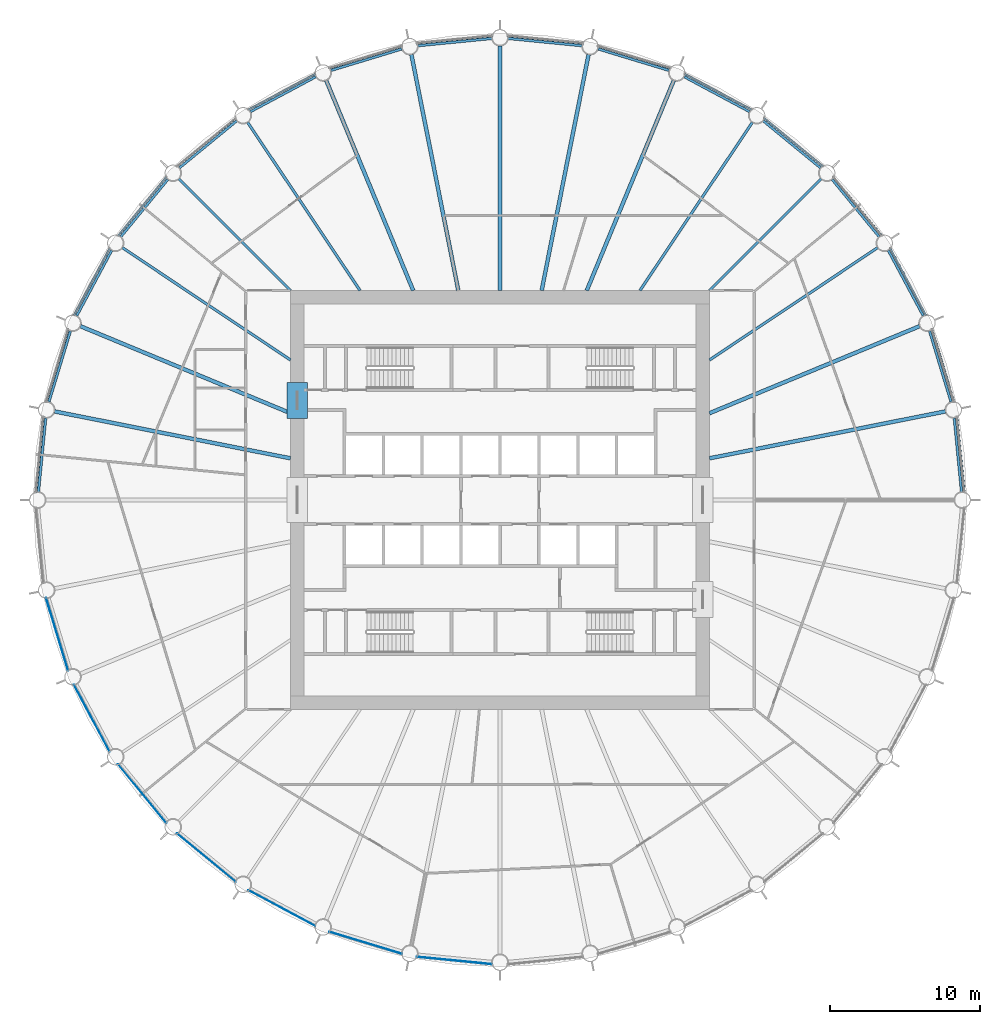
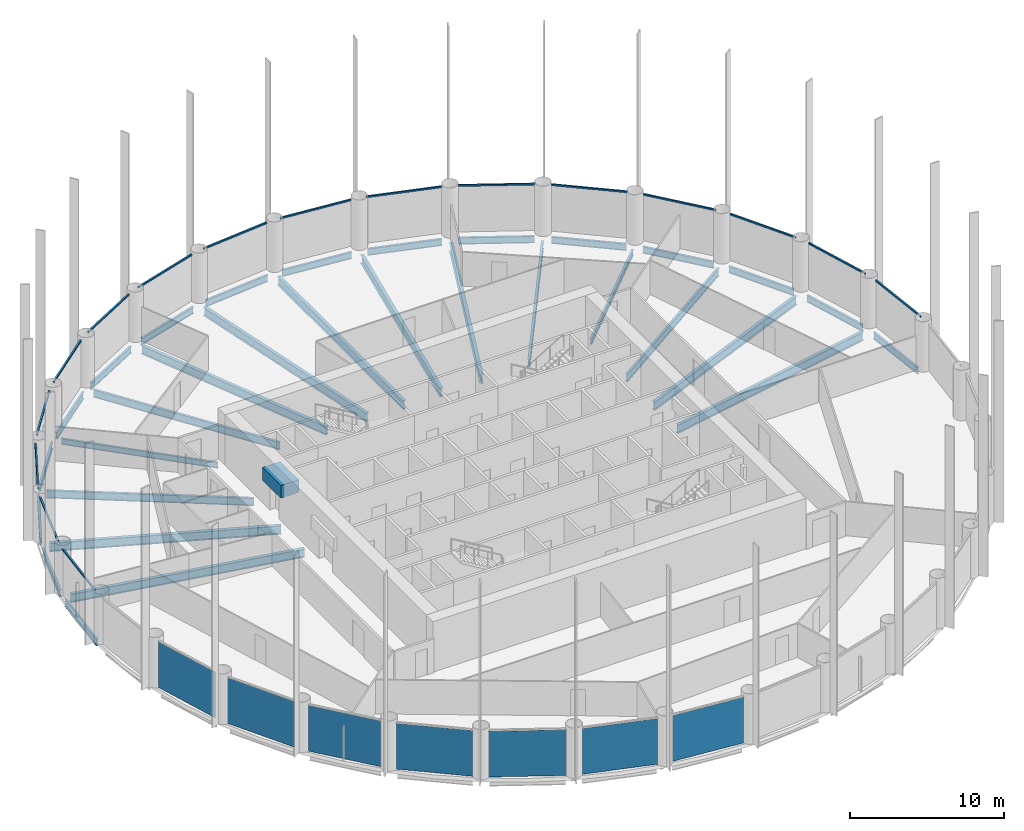
# One storey, part 2 of 9: 32 beams, 16 members, 7 plates, 23 elements without a shape of their own.
"""IFC4 building model written with IfcOpenShell, lengths in metres."""

from ifc_helpers import new_model, si_unit, direction, frame, origin, origin_2d, place, context, subcontext, project, spatial, rectangle, i_section, extrude, material, layer, layer_set, material_profile, profile_set, type_object, element, aggregate, save


model = new_model("IFC4")

# Units and contexts
model_context = context("Model", 3, precision=1e-05, world=origin(), true_north=direction((0.0, 1.0)))
body_context = subcontext(model_context, "Body", "Model", "MODEL_VIEW")
ifc_project = project(units=[si_unit("LENGTHUNIT", "METRE"), si_unit("AREAUNIT", "SQUARE_METRE"), si_unit("VOLUMEUNIT", "CUBIC_METRE"), si_unit("PLANEANGLEUNIT", "RADIAN"), si_unit("MASSUNIT", "GRAM", prefix="KILO")], contexts=[model_context])

# Site, building, storey
site_placement = place(None, origin())
site = spatial("IfcSite", under=ifc_project, at=site_placement, CompositionType="ELEMENT")
building_placement = place(site_placement, origin())
building = spatial("IfcBuilding", under=site, at=building_placement, Name="Corvane Civic Tower", CompositionType="ELEMENT")
storey_placement = place(building_placement, frame((0.0, 0.0, 160.0)))
storey = spatial("IfcBuildingStorey", under=building, at=storey_placement, Name="L37", CompositionType="ELEMENT", Elevation=160.0)

# Beams
ifc_material_1 = material(Name="Concrete C60/75", Category="concrete")
ifc_material_profile_1 = material_profile(ifc_material_1, rectangle(XDim=1.35009765625, YDim=1.0, at=origin_2d()), Name="COUPLING BEAM 1350X1000")
ifc_profile_set_1 = profile_set([ifc_material_profile_1], Name="Concrete C60/75")
beam_type_1 = type_object("IfcBeamType", Name="COUPLING BEAM COUPLING BEAM 1350X1000", PredefinedType="BEAM", material=ifc_profile_set_1)
beam_1_placement = place(storey_placement, frame((-13.550048828125, 5.449951171875, 2.60009765625), z_axis=(0.0, 1.0, 0.0), x_axis=(-1.0, 0.0, 0.0)))
element("IfcBeam", 1, at=beam_1_placement, inside=storey, type_object=beam_type_1, Name="BM-L37-cpl-CW-WN", PredefinedType="BEAM", context=body_context, shape_type="SweptSolid", body=[
    extrude(rectangle(XDim=1.35009765625, YDim=1.0, at=origin_2d()), origin(), (0.0, 0.0, 1.0), 2.400146484375),
])
ifc_material_2 = material(Name="Steel ASTM A992 Gr 50", Category="steel")
ifc_material_profile_2 = material_profile(ifc_material_2, i_section(OverallWidth=0.165771484375, OverallDepth=0.5283203125, WebThickness=0.009765625, FlangeThickness=0.013671875, at=origin_2d()), Name="W21X50")
ifc_profile_set_2 = profile_set([ifc_material_profile_2], Name="Steel ASTM A992 Gr 50")
beam_type_2 = type_object("IfcBeamType", Name="EDGE BEAM W21X50", PredefinedType="BEAM", material=ifc_profile_set_2)
beam_2_placement = place(storey_placement, frame((0.54736328125, 30.845947265625, -0.564208984375), z_axis=(0.995186236294, -0.09800181167, 0.0), x_axis=(0.09800181167, 0.995186236294, 0.0)))
element("IfcBeam", 2, at=beam_2_placement, inside=storey, type_object=beam_type_2, Name="BM-L37-E01", PredefinedType="BEAM", context=body_context, shape_type="SweptSolid", body=[
    extrude(i_section(OverallWidth=0.165771484375, OverallDepth=0.5283203125, WebThickness=0.009765625, FlangeThickness=0.013671875, at=origin_2d()), origin(), (0.0, 0.0, 1.0), 4.95751953125),
])
beam_3_placement = place(storey_placement, frame((6.5546875, 30.146484375, -0.564208984375), z_axis=(0.956944842086, -0.290269821381, 0.0), x_axis=(0.290269821381, 0.956944842086, 0.0)))
element("IfcBeam", 3, at=beam_3_placement, inside=storey, type_object=beam_type_2, Name="BM-L37-E02", PredefinedType="BEAM", context=body_context, shape_type="SweptSolid", body=[
    extrude(i_section(OverallWidth=0.165771484375, OverallDepth=0.5283203125, WebThickness=0.009765625, FlangeThickness=0.013671875, at=origin_2d()), origin(), (0.0, 0.0, 1.0), 4.957275390625),
])
for number, where, z_axis, x_axis, name in (
    (4, (12.31005859375, 28.28857421875, -0.564208984375), (0.881921784846, -0.471395763042, 0.0), (0.471395763042, 0.881921784846, 0.0), "BM-L37-E03"),
    (5, (17.59228515625, 25.343505859375, -0.564208984375), (0.77301516208, -0.634387546532, 0.0), (0.634387546532, 0.77301516208, 0.0), "BM-L37-E04"),
    (6, (22.198486328125, 21.424560546875, -0.564208984375), (0.634387546532, -0.77301516208, 0.0), (0.77301516208, 0.634387546532, 0.0), "BM-L37-E05"),
    (7, (25.95166015625, 16.68212890625, -0.564208984375), (0.471395763042, -0.881921784846, 0.0), (0.881921784846, 0.471395763042, 0.0), "BM-L37-E06"),
):
    element("IfcBeam", number, at=place(storey_placement, frame(where, z_axis=z_axis, x_axis=x_axis)), inside=storey, type_object=beam_type_2, Name=name, PredefinedType="BEAM", context=body_context, shape_type="SweptSolid", body=[
        extrude(i_section(OverallWidth=0.165771484375, OverallDepth=0.5283203125, WebThickness=0.009765625, FlangeThickness=0.013671875, at=origin_2d()), origin(), (0.0, 0.0, 1.0), 4.95751953125),
    ])
beam_4_placement = place(storey_placement, frame((28.70751953125, 11.298583984375, -0.564208984375), z_axis=(0.290269821381, -0.956944842086, 0.0), x_axis=(0.956944842086, 0.290269821381, 0.0)))
element("IfcBeam", 8, at=beam_4_placement, inside=storey, type_object=beam_type_2, Name="BM-L37-E07", PredefinedType="BEAM", context=body_context, shape_type="SweptSolid", body=[
    extrude(i_section(OverallWidth=0.165771484375, OverallDepth=0.5283203125, WebThickness=0.009765625, FlangeThickness=0.013671875, at=origin_2d()), origin(), (0.0, 0.0, 1.0), 4.957275390625),
])
for number, where, z_axis, x_axis, name in (
    (9, (30.360107421875, 5.48095703125, -0.564208984375), (0.09800181167, -0.995186236294, 0.0), (0.995186236294, 0.09800181167, 0.0), "BM-L37-E08"),
    (10, (-30.845947265625, 0.54736328125, -0.564208984375), (0.09800181167, 0.995186236294, 0.0), (-0.995186236294, 0.09800181167, 0.0), "BM-L37-E25"),
):
    element("IfcBeam", number, at=place(storey_placement, frame(where, z_axis=z_axis, x_axis=x_axis)), inside=storey, type_object=beam_type_2, Name=name, PredefinedType="BEAM", context=body_context, shape_type="SweptSolid", body=[
        extrude(i_section(OverallWidth=0.165771484375, OverallDepth=0.5283203125, WebThickness=0.009765625, FlangeThickness=0.013671875, at=origin_2d()), origin(), (0.0, 0.0, 1.0), 4.95751953125),
    ])
beam_5_placement = place(storey_placement, frame((-30.146484375, 6.5546875, -0.564208984375), z_axis=(0.290269821381, 0.956944842086, 0.0), x_axis=(-0.956944842086, 0.290269821381, 0.0)))
element("IfcBeam", 11, at=beam_5_placement, inside=storey, type_object=beam_type_2, Name="BM-L37-E26", PredefinedType="BEAM", context=body_context, shape_type="SweptSolid", body=[
    extrude(i_section(OverallWidth=0.165771484375, OverallDepth=0.5283203125, WebThickness=0.009765625, FlangeThickness=0.013671875, at=origin_2d()), origin(), (0.0, 0.0, 1.0), 4.957275390625),
])
for number, where, z_axis, x_axis, name in (
    (12, (-28.28857421875, 12.31005859375, -0.564208984375), (0.471395763042, 0.881921784846, 0.0), (-0.881921784846, 0.471395763042, 0.0), "BM-L37-E27"),
    (13, (-25.343505859375, 17.59228515625, -0.564208984375), (0.634387546532, 0.77301516208, 0.0), (-0.77301516208, 0.634387546532, 0.0), "BM-L37-E28"),
    (14, (-21.424560546875, 22.198486328125, -0.564208984375), (0.77301516208, 0.634387546532, 0.0), (-0.634387546532, 0.77301516208, 0.0), "BM-L37-E29"),
    (15, (-16.68212890625, 25.95166015625, -0.564208984375), (0.881921784846, 0.471395763042, 0.0), (-0.471395763042, 0.881921784846, 0.0), "BM-L37-E30"),
):
    element("IfcBeam", number, at=place(storey_placement, frame(where, z_axis=z_axis, x_axis=x_axis)), inside=storey, type_object=beam_type_2, Name=name, PredefinedType="BEAM", context=body_context, shape_type="SweptSolid", body=[
        extrude(i_section(OverallWidth=0.165771484375, OverallDepth=0.5283203125, WebThickness=0.009765625, FlangeThickness=0.013671875, at=origin_2d()), origin(), (0.0, 0.0, 1.0), 4.95751953125),
    ])
beam_6_placement = place(storey_placement, frame((-11.298583984375, 28.70751953125, -0.564208984375), z_axis=(0.956944842086, 0.290269821381, 0.0), x_axis=(-0.290269821381, 0.956944842086, 0.0)))
element("IfcBeam", 16, at=beam_6_placement, inside=storey, type_object=beam_type_2, Name="BM-L37-E31", PredefinedType="BEAM", context=body_context, shape_type="SweptSolid", body=[
    extrude(i_section(OverallWidth=0.165771484375, OverallDepth=0.5283203125, WebThickness=0.009765625, FlangeThickness=0.013671875, at=origin_2d()), origin(), (0.0, 0.0, 1.0), 4.957275390625),
])
beam_7_placement = place(storey_placement, frame((-5.48095703125, 30.360107421875, -0.564208984375), z_axis=(0.995186236294, 0.09800181167, 0.0), x_axis=(-0.09800181167, 0.995186236294, 0.0)))
element("IfcBeam", 17, at=beam_7_placement, inside=storey, type_object=beam_type_2, Name="BM-L37-E32", PredefinedType="BEAM", context=body_context, shape_type="SweptSolid", body=[
    extrude(i_section(OverallWidth=0.165771484375, OverallDepth=0.5283203125, WebThickness=0.009765625, FlangeThickness=0.013671875, at=origin_2d()), origin(), (0.0, 0.0, 1.0), 4.95751953125),
])
ifc_material_3 = material(Name="Steel ASTM A992 Gr 50", Category="steel")
ifc_material_profile_3 = material_profile(ifc_material_3, i_section(OverallWidth=0.15283203125, OverallDepth=0.45458984375, WebThickness=0.008056640625, FlangeThickness=0.013427734375, at=origin_2d()), Name="W18X40")
ifc_profile_set_3 = profile_set([ifc_material_profile_3], Name="Steel ASTM A992 Gr 50")
beam_type_3 = type_object("IfcBeamType", Name="FLOOR GIRDER W18X40", PredefinedType="BEAM", material=ifc_profile_set_3)
for number, where, z_axis, x_axis, name in (
    (18, (14.0, 14.0, -0.52734375), (0.707106781187, 0.707106781187, 0.0), (-0.707106781187, 0.707106781187, 0.0), "BM-L37-G05"),
    (19, (-14.0, 14.0, -0.52734375), (-0.707106781187, 0.707106781187, 0.0), (-0.707106781187, -0.707106781187, 0.0), "BM-L37-G29"),
):
    element("IfcBeam", number, at=place(storey_placement, frame(where, z_axis=z_axis, x_axis=x_axis)), inside=storey, type_object=beam_type_3, Name=name, PredefinedType="BEAM", context=body_context, shape_type="SweptSolid", body=[
        extrude(i_section(OverallWidth=0.15283203125, OverallDepth=0.45458984375, WebThickness=0.008056640625, FlangeThickness=0.013427734375, at=origin_2d()), origin(), (0.0, 0.0, 1.0), 10.551025390625),
    ])
ifc_material_4 = material(Name="Steel ASTM A992 Gr 50", Category="steel")
ifc_material_profile_4 = material_profile(ifc_material_4, i_section(OverallWidth=0.177978515625, OverallDepth=0.599365234375, WebThickness=0.010009765625, FlangeThickness=0.012939453125, at=origin_2d()), Name="W24X55")
ifc_profile_set_4 = profile_set([ifc_material_profile_4], Name="Steel ASTM A992 Gr 50")
beam_type_4 = type_object("IfcBeamType", Name="FLOOR GIRDER W24X55", PredefinedType="BEAM", material=ifc_profile_set_4)
for number, where, z_axis, x_axis, name in (
    (20, (9.3544921875, 14.0, -0.599609375), (0.555571323015, 0.83146888399, 0.0), (-0.83146888399, 0.555571323015, 0.0), "BM-L37-G04"),
    (21, (14.0, 9.3544921875, -0.599609375), (0.83146888399, 0.555571323015, 0.0), (-0.555571323015, 0.83146888399, 0.0), "BM-L37-G06"),
    (22, (-14.0, 9.3544921875, -0.599609375), (-0.83146888399, 0.555571323015, 0.0), (-0.555571323015, -0.83146888399, 0.0), "BM-L37-G28"),
    (23, (-9.3544921875, 14.0, -0.599609375), (-0.555571323015, 0.83146888399, 0.0), (-0.83146888399, -0.555571323015, 0.0), "BM-L37-G30"),
):
    element("IfcBeam", number, at=place(storey_placement, frame(where, z_axis=z_axis, x_axis=x_axis)), inside=storey, type_object=beam_type_4, Name=name, PredefinedType="BEAM", context=body_context, shape_type="SweptSolid", body=[
        extrude(i_section(OverallWidth=0.177978515625, OverallDepth=0.599365234375, WebThickness=0.010009765625, FlangeThickness=0.012939453125, at=origin_2d()), origin(), (0.0, 0.0, 1.0), 13.512451171875),
    ])
ifc_material_5 = material(Name="Steel ASTM A992 Gr 50", Category="steel")
ifc_material_profile_5 = material_profile(ifc_material_5, i_section(OverallWidth=0.25390625, OverallDepth=0.67822265625, WebThickness=0.01171875, FlangeThickness=0.016357421875, at=origin_2d()), Name="W27X84")
ifc_profile_set_5 = profile_set([ifc_material_profile_5], Name="Steel ASTM A992 Gr 50")
beam_type_5 = type_object("IfcBeamType", Name="FLOOR GIRDER W27X84", PredefinedType="BEAM", material=ifc_profile_set_5)
beam_8_placement = place(storey_placement, frame((0.0, 14.0, -0.63916015625), z_axis=(0.0, 1.0, 0.0), x_axis=(-1.0, 0.0, 0.0)))
element("IfcBeam", 24, at=beam_8_placement, inside=storey, type_object=beam_type_5, Name="BM-L37-G01", PredefinedType="BEAM", context=body_context, shape_type="SweptSolid", body=[
    extrude(i_section(OverallWidth=0.25390625, OverallDepth=0.67822265625, WebThickness=0.01171875, FlangeThickness=0.016357421875, at=origin_2d()), origin(), (0.0, 0.0, 1.0), 16.35009765625),
])
beam_9_placement = place(storey_placement, frame((2.78466796875, 14.0, -0.63916015625), z_axis=(0.195090912248, 0.980785162999, 0.0), x_axis=(-0.980785162999, 0.195090912248, 0.0)))
element("IfcBeam", 25, at=beam_9_placement, inside=storey, type_object=beam_type_5, Name="BM-L37-G02", PredefinedType="BEAM", context=body_context, shape_type="SweptSolid", body=[
    extrude(i_section(OverallWidth=0.25390625, OverallDepth=0.67822265625, WebThickness=0.01171875, FlangeThickness=0.016357421875, at=origin_2d()), origin(), (0.0, 0.0, 1.0), 16.07568359375),
])
for number, where, z_axis, x_axis, name in (
    (26, (5.799072265625, 14.0, -0.63916015625), (0.38268097323, 0.923880551114, 0.0), (-0.923880551114, 0.38268097323, 0.0), "BM-L37-G03"),
    (27, (14.0, 5.799072265625, -0.63916015625), (0.923880551114, 0.38268097323, 0.0), (-0.38268097323, 0.923880551114, 0.0), "BM-L37-G07"),
):
    element("IfcBeam", number, at=place(storey_placement, frame(where, z_axis=z_axis, x_axis=x_axis)), inside=storey, type_object=beam_type_5, Name=name, PredefinedType="BEAM", context=body_context, shape_type="SweptSolid", body=[
        extrude(i_section(OverallWidth=0.25390625, OverallDepth=0.67822265625, WebThickness=0.01171875, FlangeThickness=0.016357421875, at=origin_2d()), origin(), (0.0, 0.0, 1.0), 15.196533203125),
    ])
for number, where, z_axis, x_axis, name in (
    (28, (14.0, 2.78466796875, -0.63916015625), (0.980785162999, 0.195090912248, 0.0), (-0.195090912248, 0.980785162999, 0.0), "BM-L37-G08"),
    (29, (-14.0, 2.78466796875, -0.63916015625), (-0.980785162999, 0.195090912248, 0.0), (-0.195090912248, -0.980785162999, 0.0), "BM-L37-G26"),
):
    element("IfcBeam", number, at=place(storey_placement, frame(where, z_axis=z_axis, x_axis=x_axis)), inside=storey, type_object=beam_type_5, Name=name, PredefinedType="BEAM", context=body_context, shape_type="SweptSolid", body=[
        extrude(i_section(OverallWidth=0.25390625, OverallDepth=0.67822265625, WebThickness=0.01171875, FlangeThickness=0.016357421875, at=origin_2d()), origin(), (0.0, 0.0, 1.0), 16.07568359375),
    ])
for number, where, z_axis, x_axis, name in (
    (30, (-14.0, 5.799072265625, -0.63916015625), (-0.923880551114, 0.38268097323, 0.0), (-0.38268097323, -0.923880551114, 0.0), "BM-L37-G27"),
    (31, (-5.799072265625, 14.0, -0.63916015625), (-0.38268097323, 0.923880551114, 0.0), (-0.923880551114, -0.38268097323, 0.0), "BM-L37-G31"),
):
    element("IfcBeam", number, at=place(storey_placement, frame(where, z_axis=z_axis, x_axis=x_axis)), inside=storey, type_object=beam_type_5, Name=name, PredefinedType="BEAM", context=body_context, shape_type="SweptSolid", body=[
        extrude(i_section(OverallWidth=0.25390625, OverallDepth=0.67822265625, WebThickness=0.01171875, FlangeThickness=0.016357421875, at=origin_2d()), origin(), (0.0, 0.0, 1.0), 15.196533203125),
    ])
beam_10_placement = place(storey_placement, frame((-2.78466796875, 14.0, -0.63916015625), z_axis=(-0.195090912248, 0.980785162999, 0.0), x_axis=(-0.980785162999, -0.195090912248, 0.0)))
element("IfcBeam", 32, at=beam_10_placement, inside=storey, type_object=beam_type_5, Name="BM-L37-G32", PredefinedType="BEAM", context=body_context, shape_type="SweptSolid", body=[
    extrude(i_section(OverallWidth=0.25390625, OverallDepth=0.67822265625, WebThickness=0.01171875, FlangeThickness=0.016357421875, at=origin_2d()), origin(), (0.0, 0.0, 1.0), 16.07568359375),
])

# Curtain wall, member
ifc_material_6 = material(Name="Anodised aluminium bronze", Category="aluminium")
curtain_wall_type = type_object("IfcCurtainWallType", Name="TOWER CW-T2 STICK CURTAIN WALL", PredefinedType="NOTDEFINED", material=ifc_material_6)
curtain_wall_1_placement = place(storey_placement, origin())
curtain_wall_1 = element("IfcCurtainWall", 33, at=curtain_wall_1_placement, inside=storey, type_object=curtain_wall_type, Name="Curtain wall CW-T2 L37 bay 01", PredefinedType="NOTDEFINED")
ifc_material_7 = material(Name="Anodised aluminium bronze", Category="aluminium")
ifc_material_profile_6 = material_profile(ifc_material_7, rectangle(XDim=0.1201171875, YDim=0.1201171875, at=origin_2d()), Name="TOWER CW-T2 TRANSOM 120x120")
ifc_profile_set_6 = profile_set([ifc_material_profile_6], Name="Anodised aluminium bronze")
member_type = type_object("IfcMemberType", Name="TOWER CW-T2 TRANSOM 120x120", PredefinedType="USERDEFINED", material=ifc_profile_set_6)
member_1_placement = place(storey_placement, frame((0.505126953125, 31.0302734375, 3.68994140625), z_axis=(0.995187423416, -0.097989755963, 0.0), x_axis=(0.097989755963, 0.995187423416, 0.0)))
member_1 = element("IfcMember", 34, at=member_1_placement, type_object=member_type, Name="Transom CW-T2 L37 01.1", ObjectType="TRANSOM", PredefinedType="USERDEFINED", context=body_context, shape_type="SweptSolid", body=[
    extrude(rectangle(XDim=0.1201171875, YDim=0.1201171875, at=origin_2d()), origin(), (0.0, 0.0, 1.0), 5.07763671875),
])
aggregate(curtain_wall_1, [member_1])

curtain_wall_2_placement = place(storey_placement, origin())
curtain_wall_2 = element("IfcCurtainWall", 35, at=curtain_wall_2_placement, inside=storey, type_object=curtain_wall_type, Name="Curtain wall CW-T2 L37 bay 02", PredefinedType="NOTDEFINED")
member_2_placement = place(storey_placement, frame((6.54931640625, 30.33544921875, 3.68994140625), z_axis=(0.956939031389, -0.290288977061, 0.0), x_axis=(0.290288977061, 0.956939031389, 0.0)))
member_2 = element("IfcMember", 36, at=member_2_placement, type_object=member_type, Name="Transom CW-T2 L37 02.1", ObjectType="TRANSOM", PredefinedType="USERDEFINED", context=body_context, shape_type="SweptSolid", body=[
    extrude(rectangle(XDim=0.1201171875, YDim=0.1201171875, at=origin_2d()), origin(), (0.0, 0.0, 1.0), 5.077392578125),
])
aggregate(curtain_wall_2, [member_2])

curtain_wall_3_placement = place(storey_placement, origin())
curtain_wall_3 = element("IfcCurtainWall", 37, at=curtain_wall_3_placement, inside=storey, type_object=curtain_wall_type, Name="Curtain wall CW-T2 L37 bay 03", PredefinedType="NOTDEFINED")
member_3_placement = place(storey_placement, frame((12.341552734375, 28.474853515625, 3.68994140625), z_axis=(0.881921329426, -0.471396615074, 0.0), x_axis=(0.471396615074, 0.881921329426, 0.0)))
member_3 = element("IfcMember", 38, at=member_3_placement, type_object=member_type, Name="Transom CW-T2 L37 03.1", ObjectType="TRANSOM", PredefinedType="USERDEFINED", context=body_context, shape_type="SweptSolid", body=[
    extrude(rectangle(XDim=0.1201171875, YDim=0.1201171875, at=origin_2d()), origin(), (0.0, 0.0, 1.0), 5.07763671875),
])
aggregate(curtain_wall_3, [member_3])

curtain_wall_4_placement = place(storey_placement, origin())
curtain_wall_4 = element("IfcCurtainWall", 39, at=curtain_wall_4_placement, inside=storey, type_object=curtain_wall_type, Name="Curtain wall CW-T2 L37 bay 04", PredefinedType="NOTDEFINED")
member_4_placement = place(storey_placement, frame((17.65966796875, 25.519775390625, 3.68994140625), z_axis=(0.773015929719, -0.634386611146, 0.0), x_axis=(0.634386611146, 0.773015929719, 0.0)))
member_4 = element("IfcMember", 40, at=member_4_placement, type_object=member_type, Name="Transom CW-T2 L37 04.1", ObjectType="TRANSOM", PredefinedType="USERDEFINED", context=body_context, shape_type="SweptSolid", body=[
    extrude(rectangle(XDim=0.1201171875, YDim=0.1201171875, at=origin_2d()), origin(), (0.0, 0.0, 1.0), 5.0771484375),
])
aggregate(curtain_wall_4, [member_4])

curtain_wall_5_placement = place(storey_placement, origin())
curtain_wall_5 = element("IfcCurtainWall", 41, at=curtain_wall_5_placement, inside=storey, type_object=curtain_wall_type, Name="Curtain wall CW-T2 L37 bay 05", PredefinedType="NOTDEFINED")
member_5_placement = place(storey_placement, frame((22.298828125, 21.58447265625, 3.68994140625), z_axis=(0.634386611146, -0.773015929719, 0.0), x_axis=(0.773015929719, 0.634386611146, 0.0)))
member_5 = element("IfcMember", 42, at=member_5_placement, type_object=member_type, Name="Transom CW-T2 L37 05.1", ObjectType="TRANSOM", PredefinedType="USERDEFINED", context=body_context, shape_type="SweptSolid", body=[
    extrude(rectangle(XDim=0.1201171875, YDim=0.1201171875, at=origin_2d()), origin(), (0.0, 0.0, 1.0), 5.0771484375),
])
aggregate(curtain_wall_5, [member_5])

curtain_wall_6_placement = place(storey_placement, origin())
curtain_wall_6 = element("IfcCurtainWall", 43, at=curtain_wall_6_placement, inside=storey, type_object=curtain_wall_type, Name="Curtain wall CW-T2 L37 bay 06", PredefinedType="NOTDEFINED")
member_6_placement = place(storey_placement, frame((26.081298828125, 16.819580078125, 3.68994140625), z_axis=(0.471396615074, -0.881921329426, 0.0), x_axis=(0.881921329426, 0.471396615074, 0.0)))
member_6 = element("IfcMember", 44, at=member_6_placement, type_object=member_type, Name="Transom CW-T2 L37 06.1", ObjectType="TRANSOM", PredefinedType="USERDEFINED", context=body_context, shape_type="SweptSolid", body=[
    extrude(rectangle(XDim=0.1201171875, YDim=0.1201171875, at=origin_2d()), origin(), (0.0, 0.0, 1.0), 5.07763671875),
])
aggregate(curtain_wall_6, [member_6])

curtain_wall_7_placement = place(storey_placement, origin())
curtain_wall_7 = element("IfcCurtainWall", 45, at=curtain_wall_7_placement, inside=storey, type_object=curtain_wall_type, Name="Curtain wall CW-T2 L37 bay 07", PredefinedType="NOTDEFINED")
member_7_placement = place(storey_placement, frame((28.861572265625, 11.407958984375, 3.68994140625), z_axis=(0.290288977061, -0.956939031389, 0.0), x_axis=(0.956939031389, 0.290288977061, 0.0)))
member_7 = element("IfcMember", 46, at=member_7_placement, type_object=member_type, Name="Transom CW-T2 L37 07.1", ObjectType="TRANSOM", PredefinedType="USERDEFINED", context=body_context, shape_type="SweptSolid", body=[
    extrude(rectangle(XDim=0.1201171875, YDim=0.1201171875, at=origin_2d()), origin(), (0.0, 0.0, 1.0), 5.077392578125),
])
aggregate(curtain_wall_7, [member_7])

curtain_wall_8_placement = place(storey_placement, origin())
curtain_wall_8 = element("IfcCurtainWall", 47, at=curtain_wall_8_placement, inside=storey, type_object=curtain_wall_type, Name="Curtain wall CW-T2 L37 bay 08", PredefinedType="NOTDEFINED")
member_8_placement = place(storey_placement, frame((30.53271484375, 5.558349609375, 3.68994140625), z_axis=(0.097989755963, -0.995187423416, 0.0), x_axis=(0.995187423416, 0.097989755963, 0.0)))
member_8 = element("IfcMember", 48, at=member_8_placement, type_object=member_type, Name="Transom CW-T2 L37 08.1", ObjectType="TRANSOM", PredefinedType="USERDEFINED", context=body_context, shape_type="SweptSolid", body=[
    extrude(rectangle(XDim=0.1201171875, YDim=0.1201171875, at=origin_2d()), origin(), (0.0, 0.0, 1.0), 5.07763671875),
])
aggregate(curtain_wall_8, [member_8])

curtain_wall_9_placement = place(storey_placement, origin())
curtain_wall_9 = element("IfcCurtainWall", 49, at=curtain_wall_9_placement, inside=storey, type_object=curtain_wall_type, Name="Curtain wall CW-T2 L37 bay 25", PredefinedType="NOTDEFINED")
member_9_placement = place(storey_placement, frame((-31.0302734375, 0.505126953125, 3.68994140625), z_axis=(0.097989755963, 0.995187423416, 0.0), x_axis=(-0.995187423416, 0.097989755963, 0.0)))
member_9 = element("IfcMember", 50, at=member_9_placement, type_object=member_type, Name="Transom CW-T2 L37 25.1", ObjectType="TRANSOM", PredefinedType="USERDEFINED", context=body_context, shape_type="SweptSolid", body=[
    extrude(rectangle(XDim=0.1201171875, YDim=0.1201171875, at=origin_2d()), origin(), (0.0, 0.0, 1.0), 5.07763671875),
])
aggregate(curtain_wall_9, [member_9])

curtain_wall_10_placement = place(storey_placement, origin())
curtain_wall_10 = element("IfcCurtainWall", 51, at=curtain_wall_10_placement, inside=storey, type_object=curtain_wall_type, Name="Curtain wall CW-T2 L37 bay 26", PredefinedType="NOTDEFINED")
member_10_placement = place(storey_placement, frame((-30.33544921875, 6.54931640625, 3.68994140625), z_axis=(0.290288977061, 0.956939031389, 0.0), x_axis=(-0.956939031389, 0.290288977061, 0.0)))
member_10 = element("IfcMember", 52, at=member_10_placement, type_object=member_type, Name="Transom CW-T2 L37 26.1", ObjectType="TRANSOM", PredefinedType="USERDEFINED", context=body_context, shape_type="SweptSolid", body=[
    extrude(rectangle(XDim=0.1201171875, YDim=0.1201171875, at=origin_2d()), origin(), (0.0, 0.0, 1.0), 5.077392578125),
])
aggregate(curtain_wall_10, [member_10])

curtain_wall_11_placement = place(storey_placement, origin())
curtain_wall_11 = element("IfcCurtainWall", 53, at=curtain_wall_11_placement, inside=storey, type_object=curtain_wall_type, Name="Curtain wall CW-T2 L37 bay 27", PredefinedType="NOTDEFINED")
member_11_placement = place(storey_placement, frame((-28.474853515625, 12.341552734375, 3.68994140625), z_axis=(0.471396615074, 0.881921329426, 0.0), x_axis=(-0.881921329426, 0.471396615074, 0.0)))
member_11 = element("IfcMember", 54, at=member_11_placement, type_object=member_type, Name="Transom CW-T2 L37 27.1", ObjectType="TRANSOM", PredefinedType="USERDEFINED", context=body_context, shape_type="SweptSolid", body=[
    extrude(rectangle(XDim=0.1201171875, YDim=0.1201171875, at=origin_2d()), origin(), (0.0, 0.0, 1.0), 5.07763671875),
])
aggregate(curtain_wall_11, [member_11])

curtain_wall_12_placement = place(storey_placement, origin())
curtain_wall_12 = element("IfcCurtainWall", 55, at=curtain_wall_12_placement, inside=storey, type_object=curtain_wall_type, Name="Curtain wall CW-T2 L37 bay 28", PredefinedType="NOTDEFINED")
member_12_placement = place(storey_placement, frame((-25.519775390625, 17.65966796875, 3.68994140625), z_axis=(0.634386611146, 0.773015929719, 0.0), x_axis=(-0.773015929719, 0.634386611146, 0.0)))
member_12 = element("IfcMember", 56, at=member_12_placement, type_object=member_type, Name="Transom CW-T2 L37 28.1", ObjectType="TRANSOM", PredefinedType="USERDEFINED", context=body_context, shape_type="SweptSolid", body=[
    extrude(rectangle(XDim=0.1201171875, YDim=0.1201171875, at=origin_2d()), origin(), (0.0, 0.0, 1.0), 5.0771484375),
])
aggregate(curtain_wall_12, [member_12])

curtain_wall_13_placement = place(storey_placement, origin())
curtain_wall_13 = element("IfcCurtainWall", 57, at=curtain_wall_13_placement, inside=storey, type_object=curtain_wall_type, Name="Curtain wall CW-T2 L37 bay 29", PredefinedType="NOTDEFINED")
member_13_placement = place(storey_placement, frame((-21.58447265625, 22.298828125, 3.68994140625), z_axis=(0.773015929719, 0.634386611146, 0.0), x_axis=(-0.634386611146, 0.773015929719, 0.0)))
member_13 = element("IfcMember", 58, at=member_13_placement, type_object=member_type, Name="Transom CW-T2 L37 29.1", ObjectType="TRANSOM", PredefinedType="USERDEFINED", context=body_context, shape_type="SweptSolid", body=[
    extrude(rectangle(XDim=0.1201171875, YDim=0.1201171875, at=origin_2d()), origin(), (0.0, 0.0, 1.0), 5.0771484375),
])
aggregate(curtain_wall_13, [member_13])

curtain_wall_14_placement = place(storey_placement, origin())
curtain_wall_14 = element("IfcCurtainWall", 59, at=curtain_wall_14_placement, inside=storey, type_object=curtain_wall_type, Name="Curtain wall CW-T2 L37 bay 30", PredefinedType="NOTDEFINED")
member_14_placement = place(storey_placement, frame((-16.819580078125, 26.081298828125, 3.68994140625), z_axis=(0.881921329426, 0.471396615074, 0.0), x_axis=(-0.471396615074, 0.881921329426, 0.0)))
member_14 = element("IfcMember", 60, at=member_14_placement, type_object=member_type, Name="Transom CW-T2 L37 30.1", ObjectType="TRANSOM", PredefinedType="USERDEFINED", context=body_context, shape_type="SweptSolid", body=[
    extrude(rectangle(XDim=0.1201171875, YDim=0.1201171875, at=origin_2d()), origin(), (0.0, 0.0, 1.0), 5.07763671875),
])
aggregate(curtain_wall_14, [member_14])

curtain_wall_15_placement = place(storey_placement, origin())
curtain_wall_15 = element("IfcCurtainWall", 61, at=curtain_wall_15_placement, inside=storey, type_object=curtain_wall_type, Name="Curtain wall CW-T2 L37 bay 31", PredefinedType="NOTDEFINED")
member_15_placement = place(storey_placement, frame((-11.407958984375, 28.861572265625, 3.68994140625), z_axis=(0.956939031389, 0.290288977061, 0.0), x_axis=(-0.290288977061, 0.956939031389, 0.0)))
member_15 = element("IfcMember", 62, at=member_15_placement, type_object=member_type, Name="Transom CW-T2 L37 31.1", ObjectType="TRANSOM", PredefinedType="USERDEFINED", context=body_context, shape_type="SweptSolid", body=[
    extrude(rectangle(XDim=0.1201171875, YDim=0.1201171875, at=origin_2d()), origin(), (0.0, 0.0, 1.0), 5.077392578125),
])
aggregate(curtain_wall_15, [member_15])

curtain_wall_16_placement = place(storey_placement, origin())
curtain_wall_16 = element("IfcCurtainWall", 63, at=curtain_wall_16_placement, inside=storey, type_object=curtain_wall_type, Name="Curtain wall CW-T2 L37 bay 32", PredefinedType="NOTDEFINED")
member_16_placement = place(storey_placement, frame((-5.558349609375, 30.53271484375, 3.68994140625), z_axis=(0.995187423416, 0.097989755963, 0.0), x_axis=(-0.097989755963, 0.995187423416, 0.0)))
member_16 = element("IfcMember", 64, at=member_16_placement, type_object=member_type, Name="Transom CW-T2 L37 32.1", ObjectType="TRANSOM", PredefinedType="USERDEFINED", context=body_context, shape_type="SweptSolid", body=[
    extrude(rectangle(XDim=0.1201171875, YDim=0.1201171875, at=origin_2d()), origin(), (0.0, 0.0, 1.0), 5.07763671875),
])
aggregate(curtain_wall_16, [member_16])

# Curtain wall, plate
curtain_wall_17_placement = place(storey_placement, origin())
curtain_wall_17 = element("IfcCurtainWall", 65, at=curtain_wall_17_placement, inside=storey, type_object=curtain_wall_type, Name="Curtain wall CW-T2 L37 bay 17", PredefinedType="NOTDEFINED")
ifc_material_8 = material(Name="Tinted glass", Category="glass")
ifc_layer = layer(ifc_material_8, 0.031982421875)
ifc_layer_set = layer_set([ifc_layer], Name="Tinted glass")
plate_type = type_object("IfcPlateType", Name="TOWER CW-T2 PANEL IGU32", PredefinedType="CURTAIN_PANEL", material=ifc_layer_set)
plate_1_placement = place(storey_placement, frame((-3.03173828125, -30.781494140625, 0.0), z_axis=(0.0, 0.0, 1.0), x_axis=(-0.995185244531, 0.098011882274, 0.0)))
plate_1 = element("IfcPlate", 66, at=plate_1_placement, type_object=plate_type, Name="Glass panel CW-T2 L37 17.1", PredefinedType="CURTAIN_PANEL", context=body_context, shape_type="SweptSolid", body=[
    extrude(rectangle(XDim=5.07763671875, YDim=0.031982421875, at=origin_2d()), origin(), (0.0, 0.0, 1.0), 3.6298828125),
])
aggregate(curtain_wall_17, [plate_1])

curtain_wall_18_placement = place(storey_placement, origin())
curtain_wall_18 = element("IfcCurtainWall", 67, at=curtain_wall_18_placement, inside=storey, type_object=curtain_wall_type, Name="Curtain wall CW-T2 L37 bay 18", PredefinedType="NOTDEFINED")
plate_2_placement = place(storey_placement, frame((-8.978515625, -29.5986328125, 0.0), z_axis=(0.0, 0.0, 1.0), x_axis=(-0.956931677007, 0.290313219714, 0.0)))
plate_2 = element("IfcPlate", 68, at=plate_2_placement, type_object=plate_type, Name="Glass panel CW-T2 L37 18.1", PredefinedType="CURTAIN_PANEL", context=body_context, shape_type="SweptSolid", body=[
    extrude(rectangle(XDim=5.077392578125, YDim=0.031982421875, at=origin_2d()), origin(), (0.0, 0.0, 1.0), 3.6298828125),
])
aggregate(curtain_wall_18, [plate_2])

curtain_wall_19_placement = place(storey_placement, origin())
curtain_wall_19 = element("IfcCurtainWall", 69, at=curtain_wall_19_placement, inside=storey, type_object=curtain_wall_type, Name="Curtain wall CW-T2 L37 bay 19", PredefinedType="NOTDEFINED")
plate_3_placement = place(storey_placement, frame((-14.58056640625, -27.278076171875, 0.0), z_axis=(0.0, 0.0, 1.0), x_axis=(-0.881922190434, 0.471395004238, 0.0)))
plate_3 = element("IfcPlate", 70, at=plate_3_placement, type_object=plate_type, Name="Glass panel CW-T2 L37 19.1", PredefinedType="CURTAIN_PANEL", context=body_context, shape_type="SweptSolid", body=[
    extrude(rectangle(XDim=5.077392578125, YDim=0.031982421875, at=origin_2d()), origin(), (0.0, 0.0, 1.0), 3.6298828125),
])
aggregate(curtain_wall_19, [plate_3])

curtain_wall_20_placement = place(storey_placement, origin())
curtain_wall_20 = element("IfcCurtainWall", 71, at=curtain_wall_20_placement, inside=storey, type_object=curtain_wall_type, Name="Curtain wall CW-T2 L37 bay 20", PredefinedType="NOTDEFINED")
plate_4_placement = place(storey_placement, frame((-19.6220703125, -23.909423828125, 0.0), z_axis=(0.0, 0.0, 1.0), x_axis=(-0.773004844196, 0.634400118891, 0.0)))
plate_4 = element("IfcPlate", 72, at=plate_4_placement, type_object=plate_type, Name="Glass panel CW-T2 L37 20.1", PredefinedType="CURTAIN_PANEL", context=body_context, shape_type="SweptSolid", body=[
    extrude(rectangle(XDim=5.0771484375, YDim=0.031982421875, at=origin_2d()), origin(), (0.0, 0.0, 1.0), 3.6298828125),
])
aggregate(curtain_wall_20, [plate_4])

curtain_wall_21_placement = place(storey_placement, origin())
curtain_wall_21 = element("IfcCurtainWall", 73, at=curtain_wall_21_placement, inside=storey, type_object=curtain_wall_type, Name="Curtain wall CW-T2 L37 bay 21", PredefinedType="NOTDEFINED")
plate_5_placement = place(storey_placement, frame((-23.909423828125, -19.6220703125, 0.0), z_axis=(0.0, 0.0, 1.0), x_axis=(-0.634400118891, 0.773004844196, 0.0)))
plate_5 = element("IfcPlate", 74, at=plate_5_placement, type_object=plate_type, Name="Glass panel CW-T2 L37 21.1", PredefinedType="CURTAIN_PANEL", context=body_context, shape_type="SweptSolid", body=[
    extrude(rectangle(XDim=5.0771484375, YDim=0.031982421875, at=origin_2d()), origin(), (0.0, 0.0, 1.0), 3.6298828125),
])
aggregate(curtain_wall_21, [plate_5])

curtain_wall_22_placement = place(storey_placement, origin())
curtain_wall_22 = element("IfcCurtainWall", 75, at=curtain_wall_22_placement, inside=storey, type_object=curtain_wall_type, Name="Curtain wall CW-T2 L37 bay 22", PredefinedType="NOTDEFINED")
plate_6_placement = place(storey_placement, frame((-27.278076171875, -14.58056640625, 0.0), z_axis=(0.0, 0.0, 1.0), x_axis=(-0.471395004238, 0.881922190434, 0.0)))
plate_6 = element("IfcPlate", 76, at=plate_6_placement, type_object=plate_type, Name="Glass panel CW-T2 L37 22.1", PredefinedType="CURTAIN_PANEL", context=body_context, shape_type="SweptSolid", body=[
    extrude(rectangle(XDim=5.077392578125, YDim=0.031982421875, at=origin_2d()), origin(), (0.0, 0.0, 1.0), 3.6298828125),
])
aggregate(curtain_wall_22, [plate_6])

curtain_wall_23_placement = place(storey_placement, origin())
curtain_wall_23 = element("IfcCurtainWall", 77, at=curtain_wall_23_placement, inside=storey, type_object=curtain_wall_type, Name="Curtain wall CW-T2 L37 bay 23", PredefinedType="NOTDEFINED")
plate_7_placement = place(storey_placement, frame((-29.5986328125, -8.978515625, 0.0), z_axis=(0.0, 0.0, 1.0), x_axis=(-0.290313219714, 0.956931677007, 0.0)))
plate_7 = element("IfcPlate", 78, at=plate_7_placement, type_object=plate_type, Name="Glass panel CW-T2 L37 23.1", PredefinedType="CURTAIN_PANEL", context=body_context, shape_type="SweptSolid", body=[
    extrude(rectangle(XDim=5.077392578125, YDim=0.031982421875, at=origin_2d()), origin(), (0.0, 0.0, 1.0), 3.6298828125),
])
aggregate(curtain_wall_23, [plate_7])

save(model, "model.ifc")
